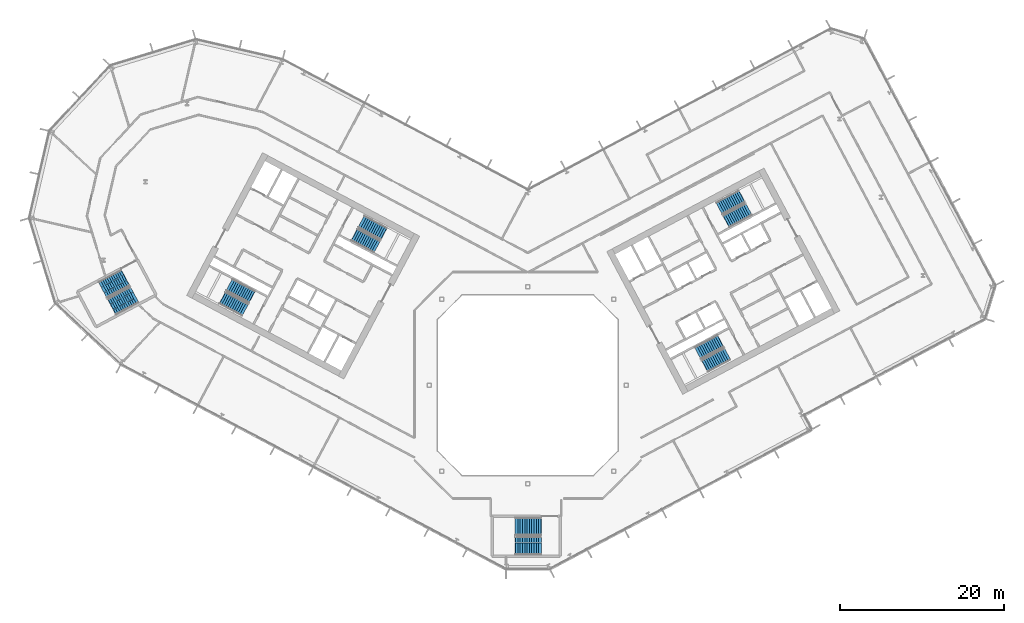
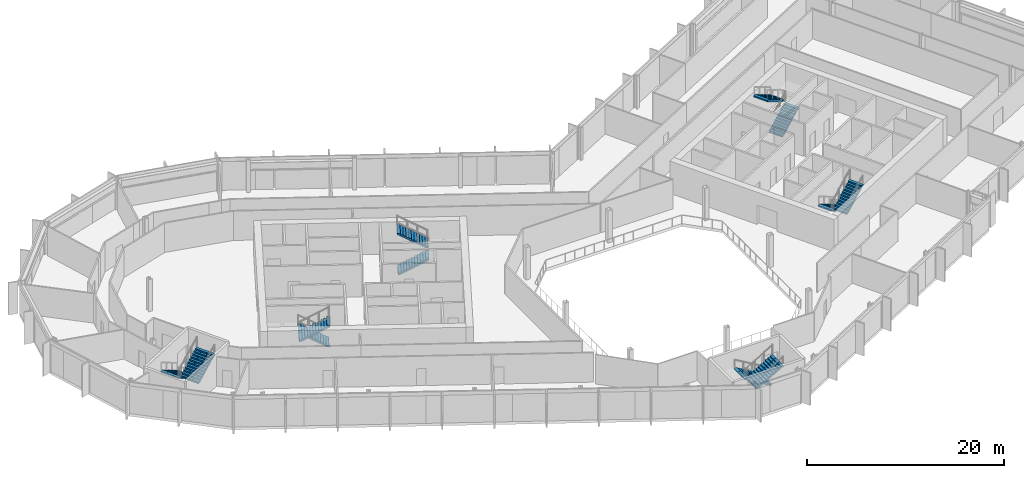
# One storey, part 18 of 28: 12 stair flights, 6 elements without a shape of their own.
"""IFC4 building model written with IfcOpenShell, lengths in metres."""

from ifc_helpers import new_model, si_unit, direction, frame, origin, place, context, subcontext, project, spatial, polyline, outline, extrude, material, type_object, element, aggregate, save


model = new_model("IFC4")

# Units and contexts
model_context = context("Model", 3, precision=1e-05, world=origin(), true_north=direction((0.0, 1.0)))
body_context = subcontext(model_context, "Body", "Model", "MODEL_VIEW")
ifc_project = project(units=[si_unit("LENGTHUNIT", "METRE"), si_unit("AREAUNIT", "SQUARE_METRE"), si_unit("VOLUMEUNIT", "CUBIC_METRE"), si_unit("PLANEANGLEUNIT", "RADIAN"), si_unit("MASSUNIT", "GRAM", prefix="KILO")], contexts=[model_context])

# Site, building, storey
site_placement = place(None, origin())
site = spatial("IfcSite", under=ifc_project, at=site_placement, CompositionType="ELEMENT")
building_placement = place(site_placement, origin())
building = spatial("IfcBuilding", under=site, at=building_placement, Name="Cormorant Relay Tower", CompositionType="ELEMENT")
storey_placement = place(building_placement, frame((0.0, 0.0, 130.199951171875)))
storey = spatial("IfcBuildingStorey", under=building, at=storey_placement, Name="L26", CompositionType="ELEMENT", Elevation=130.199951171875)

# Stair, stair flights
ifc_material_1 = material(Name="Concrete 40 MPa", Category="concrete")
stair_type_1 = type_object("IfcStairType", Name="Exit stair 1500", PredefinedType="HALF_TURN_STAIR", material=ifc_material_1)
stair_1_placement = place(storey_placement, origin())
stair_1 = element("IfcStair", 1, at=stair_1_placement, inside=storey, type_object=stair_type_1, Name="L26 Stair", PredefinedType="HALF_TURN_STAIR")
ifc_material_2 = material(Name="Concrete 40 MPa", Category="concrete")
stair_flight_type_1 = type_object("IfcStairFlightType", Name="Exit stair flight 1650", PredefinedType="STRAIGHT", material=ifc_material_2)
stair_flight_1_placement = place(storey_placement, frame((-21.114501953125, 18.33349609375, 0.0), z_axis=(0.0, 0.0, 1.0), x_axis=(0.882947592859, -0.469471562786, 0.0)))
stair_flight_1 = element("IfcStairFlight", 2, at=stair_flight_1_placement, type_object=stair_flight_type_1, Name="A1 flight 1", NumberOfRisers=12, NumberOfTreads=11, PredefinedType="STRAIGHT", RiserHeight=0.166666667, TreadLength=0.28, context=body_context, shape_type="SweptSolid", body=[
    extrude(outline(polyline([(-0.050048828125, -0.080078125), (-0.050048828125, 0.0), (0.0, 0.0), (0.0, 0.166748046875), (0.280029296875, 0.166748046875), (0.280029296875, 0.333251953125), (0.56005859375, 0.333251953125), (0.56005859375, 0.5), (0.840087890625, 0.5), (0.840087890625, 0.666748046875), (1.1201171875, 0.666748046875), (1.1201171875, 0.833251953125), (1.39990234375, 0.833251953125), (1.39990234375, 1.0), (1.679931640625, 1.0), (1.679931640625, 1.166748046875), (1.9599609375, 1.166748046875), (1.9599609375, 1.333251953125), (2.239990234375, 1.333251953125), (2.239990234375, 1.5), (2.52001953125, 1.5), (2.52001953125, 1.666748046875), (2.800048828125, 1.666748046875), (2.800048828125, 1.833251953125), (3.080078125, 1.833251953125), (3.130126953125, 1.833251953125), (3.130126953125, 1.658935546875), (3.080078125, 1.658935546875), (0.29296875, 0.0), (-0.050048828125, -0.080078125)])), frame((0.0, 0.824951171875, 0.0), z_axis=(0.0, -1.0, 0.0), x_axis=(1.0, 0.0, 0.0)), (0.0, 0.0, 1.0), 1.64990234375),
])
stair_flight_2_placement = place(storey_placement, frame((-17.5498046875, 18.47705078125, 2.0), z_axis=(0.0, 0.0, 1.0), x_axis=(-0.882947592859, 0.469471562786, 0.0)))
stair_flight_2 = element("IfcStairFlight", 3, at=stair_flight_2_placement, type_object=stair_flight_type_1, Name="A1 flight 2", NumberOfRisers=12, NumberOfTreads=11, PredefinedType="STRAIGHT", RiserHeight=0.166666667, TreadLength=0.28, context=body_context, shape_type="SweptSolid", body=[
    extrude(outline(polyline([(-0.050048828125, -0.080078125), (-0.050048828125, 0.0), (0.0, 0.0), (0.0, 0.166748046875), (0.280029296875, 0.166748046875), (0.280029296875, 0.333251953125), (0.56005859375, 0.333251953125), (0.56005859375, 0.5), (0.840087890625, 0.5), (0.840087890625, 0.666748046875), (1.1201171875, 0.666748046875), (1.1201171875, 0.833251953125), (1.39990234375, 0.833251953125), (1.39990234375, 1.0), (1.679931640625, 1.0), (1.679931640625, 1.166748046875), (1.9599609375, 1.166748046875), (1.9599609375, 1.333251953125), (2.239990234375, 1.333251953125), (2.239990234375, 1.5), (2.52001953125, 1.5), (2.52001953125, 1.666748046875), (2.800048828125, 1.666748046875), (2.800048828125, 1.833251953125), (3.080078125, 1.833251953125), (3.130126953125, 1.833251953125), (3.130126953125, 1.658935546875), (3.080078125, 1.658935546875), (0.29296875, 0.0), (-0.050048828125, -0.080078125)])), frame((0.0, 0.824951171875, 0.0), z_axis=(0.0, -1.0, 0.0), x_axis=(1.0, 0.0, 0.0)), (0.0, 0.0, 1.0), 1.64990234375),
])
aggregate(stair_1, [stair_flight_1, stair_flight_2])

stair_2_placement = place(storey_placement, origin())
stair_2 = element("IfcStair", 4, at=stair_2_placement, inside=storey, type_object=stair_type_1, Name="L26 Stair", PredefinedType="HALF_TURN_STAIR")
stair_flight_3_placement = place(storey_placement, frame((-33.62841796875, 10.773681640625, 0.0), z_axis=(0.0, 0.0, 1.0), x_axis=(-0.882947592859, 0.469471562786, 0.0)))
stair_flight_3 = element("IfcStairFlight", 5, at=stair_flight_3_placement, type_object=stair_flight_type_1, Name="A2 flight 1", NumberOfRisers=12, NumberOfTreads=11, PredefinedType="STRAIGHT", RiserHeight=0.166666667, TreadLength=0.28, context=body_context, shape_type="SweptSolid", body=[
    extrude(outline(polyline([(-0.050048828125, -0.080078125), (-0.050048828125, 0.0), (0.0, 0.0), (0.0, 0.166748046875), (0.280029296875, 0.166748046875), (0.280029296875, 0.333251953125), (0.56005859375, 0.333251953125), (0.56005859375, 0.5), (0.840087890625, 0.5), (0.840087890625, 0.666748046875), (1.1201171875, 0.666748046875), (1.1201171875, 0.833251953125), (1.39990234375, 0.833251953125), (1.39990234375, 1.0), (1.679931640625, 1.0), (1.679931640625, 1.166748046875), (1.9599609375, 1.166748046875), (1.9599609375, 1.333251953125), (2.239990234375, 1.333251953125), (2.239990234375, 1.5), (2.52001953125, 1.5), (2.52001953125, 1.666748046875), (2.800048828125, 1.666748046875), (2.800048828125, 1.833251953125), (3.080078125, 1.833251953125), (3.130126953125, 1.833251953125), (3.130126953125, 1.658935546875), (3.080078125, 1.658935546875), (0.29296875, 0.0), (-0.050048828125, -0.080078125)])), frame((0.0, 0.824951171875, 0.0), z_axis=(0.0, -1.0, 0.0), x_axis=(1.0, 0.0, 0.0)), (0.0, 0.0, 1.0), 1.64990234375),
])
stair_flight_4_placement = place(storey_placement, frame((-37.19287109375, 10.63037109375, 2.0), z_axis=(0.0, 0.0, 1.0), x_axis=(0.882947592859, -0.469471562786, 0.0)))
stair_flight_4 = element("IfcStairFlight", 6, at=stair_flight_4_placement, type_object=stair_flight_type_1, Name="A2 flight 2", NumberOfRisers=12, NumberOfTreads=11, PredefinedType="STRAIGHT", RiserHeight=0.166666667, TreadLength=0.28, context=body_context, shape_type="SweptSolid", body=[
    extrude(outline(polyline([(-0.050048828125, -0.080078125), (-0.050048828125, 0.0), (0.0, 0.0), (0.0, 0.166748046875), (0.280029296875, 0.166748046875), (0.280029296875, 0.333251953125), (0.56005859375, 0.333251953125), (0.56005859375, 0.5), (0.840087890625, 0.5), (0.840087890625, 0.666748046875), (1.1201171875, 0.666748046875), (1.1201171875, 0.833251953125), (1.39990234375, 0.833251953125), (1.39990234375, 1.0), (1.679931640625, 1.0), (1.679931640625, 1.166748046875), (1.9599609375, 1.166748046875), (1.9599609375, 1.333251953125), (2.239990234375, 1.333251953125), (2.239990234375, 1.5), (2.52001953125, 1.5), (2.52001953125, 1.666748046875), (2.800048828125, 1.666748046875), (2.800048828125, 1.833251953125), (3.080078125, 1.833251953125), (3.130126953125, 1.833251953125), (3.130126953125, 1.658935546875), (3.080078125, 1.658935546875), (0.29296875, 0.0), (-0.050048828125, -0.080078125)])), frame((0.0, 0.824951171875, 0.0), z_axis=(0.0, -1.0, 0.0), x_axis=(1.0, 0.0, 0.0)), (0.0, 0.0, 1.0), 1.64990234375),
])
aggregate(stair_2, [stair_flight_3, stair_flight_4])

stair_3_placement = place(storey_placement, origin())
stair_3 = element("IfcStair", 7, at=stair_3_placement, inside=storey, type_object=stair_type_1, Name="L26 Stair", PredefinedType="HALF_TURN_STAIR")
stair_flight_5_placement = place(storey_placement, frame((23.474365234375, 5.374755859375, 0.0), z_axis=(0.0, 0.0, 1.0), x_axis=(-0.882947592859, -0.469471562786, 0.0)))
stair_flight_5 = element("IfcStairFlight", 8, at=stair_flight_5_placement, type_object=stair_flight_type_1, Name="B1 flight 1", NumberOfRisers=12, NumberOfTreads=11, PredefinedType="STRAIGHT", RiserHeight=0.166666667, TreadLength=0.28, context=body_context, shape_type="SweptSolid", body=[
    extrude(outline(polyline([(-0.050048828125, -0.080078125), (-0.050048828125, 0.0), (0.0, 0.0), (0.0, 0.166748046875), (0.280029296875, 0.166748046875), (0.280029296875, 0.333251953125), (0.56005859375, 0.333251953125), (0.56005859375, 0.5), (0.840087890625, 0.5), (0.840087890625, 0.666748046875), (1.1201171875, 0.666748046875), (1.1201171875, 0.833251953125), (1.39990234375, 0.833251953125), (1.39990234375, 1.0), (1.679931640625, 1.0), (1.679931640625, 1.166748046875), (1.9599609375, 1.166748046875), (1.9599609375, 1.333251953125), (2.239990234375, 1.333251953125), (2.239990234375, 1.5), (2.52001953125, 1.5), (2.52001953125, 1.666748046875), (2.800048828125, 1.666748046875), (2.800048828125, 1.833251953125), (3.080078125, 1.833251953125), (3.130126953125, 1.833251953125), (3.130126953125, 1.658935546875), (3.080078125, 1.658935546875), (0.29296875, 0.0), (-0.050048828125, -0.080078125)])), frame((0.0, 0.824951171875, 0.0), z_axis=(0.0, -1.0, 0.0), x_axis=(1.0, 0.0, 0.0)), (0.0, 0.0, 1.0), 1.64990234375),
])
stair_flight_6_placement = place(storey_placement, frame((21.60009765625, 2.33935546875, 2.0), z_axis=(0.0, 0.0, 1.0), x_axis=(0.882947592859, 0.469471562786, 0.0)))
stair_flight_6 = element("IfcStairFlight", 9, at=stair_flight_6_placement, type_object=stair_flight_type_1, Name="B1 flight 2", NumberOfRisers=12, NumberOfTreads=11, PredefinedType="STRAIGHT", RiserHeight=0.166666667, TreadLength=0.28, context=body_context, shape_type="SweptSolid", body=[
    extrude(outline(polyline([(-0.050048828125, -0.080078125), (-0.050048828125, 0.0), (0.0, 0.0), (0.0, 0.166748046875), (0.280029296875, 0.166748046875), (0.280029296875, 0.333251953125), (0.56005859375, 0.333251953125), (0.56005859375, 0.5), (0.840087890625, 0.5), (0.840087890625, 0.666748046875), (1.1201171875, 0.666748046875), (1.1201171875, 0.833251953125), (1.39990234375, 0.833251953125), (1.39990234375, 1.0), (1.679931640625, 1.0), (1.679931640625, 1.166748046875), (1.9599609375, 1.166748046875), (1.9599609375, 1.333251953125), (2.239990234375, 1.333251953125), (2.239990234375, 1.5), (2.52001953125, 1.5), (2.52001953125, 1.666748046875), (2.800048828125, 1.666748046875), (2.800048828125, 1.833251953125), (3.080078125, 1.833251953125), (3.130126953125, 1.833251953125), (3.130126953125, 1.658935546875), (3.080078125, 1.658935546875), (0.29296875, 0.0), (-0.050048828125, -0.080078125)])), frame((0.0, 0.824951171875, 0.0), z_axis=(0.0, -1.0, 0.0), x_axis=(1.0, 0.0, 0.0)), (0.0, 0.0, 1.0), 1.64990234375),
])
aggregate(stair_3, [stair_flight_5, stair_flight_6])

stair_4_placement = place(storey_placement, origin())
stair_4 = element("IfcStair", 10, at=stair_4_placement, inside=storey, type_object=stair_type_1, Name="L26 Stair", PredefinedType="HALF_TURN_STAIR")
stair_flight_7_placement = place(storey_placement, frame((24.20458984375, 19.976806640625, 0.0), z_axis=(0.0, 0.0, 1.0), x_axis=(0.882947592859, 0.469471562786, 0.0)))
stair_flight_7 = element("IfcStairFlight", 11, at=stair_flight_7_placement, type_object=stair_flight_type_1, Name="B2 flight 1", NumberOfRisers=12, NumberOfTreads=11, PredefinedType="STRAIGHT", RiserHeight=0.166666667, TreadLength=0.28, context=body_context, shape_type="SweptSolid", body=[
    extrude(outline(polyline([(-0.050048828125, -0.080078125), (-0.050048828125, 0.0), (0.0, 0.0), (0.0, 0.166748046875), (0.280029296875, 0.166748046875), (0.280029296875, 0.333251953125), (0.56005859375, 0.333251953125), (0.56005859375, 0.5), (0.840087890625, 0.5), (0.840087890625, 0.666748046875), (1.1201171875, 0.666748046875), (1.1201171875, 0.833251953125), (1.39990234375, 0.833251953125), (1.39990234375, 1.0), (1.679931640625, 1.0), (1.679931640625, 1.166748046875), (1.9599609375, 1.166748046875), (1.9599609375, 1.333251953125), (2.239990234375, 1.333251953125), (2.239990234375, 1.5), (2.52001953125, 1.5), (2.52001953125, 1.666748046875), (2.800048828125, 1.666748046875), (2.800048828125, 1.833251953125), (3.080078125, 1.833251953125), (3.130126953125, 1.833251953125), (3.130126953125, 1.658935546875), (3.080078125, 1.658935546875), (0.29296875, 0.0), (-0.050048828125, -0.080078125)])), frame((0.0, 0.824951171875, 0.0), z_axis=(0.0, -1.0, 0.0), x_axis=(1.0, 0.0, 0.0)), (0.0, 0.0, 1.0), 1.64990234375),
])
stair_flight_8_placement = place(storey_placement, frame((26.0791015625, 23.011962890625, 2.0), z_axis=(0.0, 0.0, 1.0), x_axis=(-0.882947592859, -0.469471562786, 0.0)))
stair_flight_8 = element("IfcStairFlight", 12, at=stair_flight_8_placement, type_object=stair_flight_type_1, Name="B2 flight 2", NumberOfRisers=12, NumberOfTreads=11, PredefinedType="STRAIGHT", RiserHeight=0.166666667, TreadLength=0.28, context=body_context, shape_type="SweptSolid", body=[
    extrude(outline(polyline([(-0.050048828125, -0.080078125), (-0.050048828125, 0.0), (0.0, 0.0), (0.0, 0.166748046875), (0.280029296875, 0.166748046875), (0.280029296875, 0.333251953125), (0.56005859375, 0.333251953125), (0.56005859375, 0.5), (0.840087890625, 0.5), (0.840087890625, 0.666748046875), (1.1201171875, 0.666748046875), (1.1201171875, 0.833251953125), (1.39990234375, 0.833251953125), (1.39990234375, 1.0), (1.679931640625, 1.0), (1.679931640625, 1.166748046875), (1.9599609375, 1.166748046875), (1.9599609375, 1.333251953125), (2.239990234375, 1.333251953125), (2.239990234375, 1.5), (2.52001953125, 1.5), (2.52001953125, 1.666748046875), (2.800048828125, 1.666748046875), (2.800048828125, 1.833251953125), (3.080078125, 1.833251953125), (3.130126953125, 1.833251953125), (3.130126953125, 1.658935546875), (3.080078125, 1.658935546875), (0.29296875, 0.0), (-0.050048828125, -0.080078125)])), frame((0.0, 0.824951171875, 0.0), z_axis=(0.0, -1.0, 0.0), x_axis=(1.0, 0.0, 0.0)), (0.0, 0.0, 1.0), 1.64990234375),
])
aggregate(stair_4, [stair_flight_7, stair_flight_8])

ifc_material_3 = material(Name="Concrete 40 MPa", Category="concrete")
stair_type_2 = type_object("IfcStairType", Name="Remote exit stair 2200", PredefinedType="HALF_TURN_STAIR", material=ifc_material_3)
stair_5_placement = place(storey_placement, origin())
stair_5 = element("IfcStair", 13, at=stair_5_placement, inside=storey, type_object=stair_type_2, Name="L26 Stair", PredefinedType="HALF_TURN_STAIR")
ifc_material_4 = material(Name="Concrete 40 MPa", Category="concrete")
stair_flight_type_2 = type_object("IfcStairFlightType", Name="Remote exit stair flight 2200", PredefinedType="STRAIGHT", material=ifc_material_4)
stair_flight_9_placement = place(storey_placement, frame((1.60009765625, -17.22509765625, 0.0), z_axis=(0.0, 0.0, 1.0), x_axis=(-1.0, 0.0, 0.0)))
stair_flight_9 = element("IfcStairFlight", 14, at=stair_flight_9_placement, type_object=stair_flight_type_2, Name="RK1 flight 1", NumberOfRisers=12, NumberOfTreads=11, PredefinedType="STRAIGHT", RiserHeight=0.166666667, TreadLength=0.28, context=body_context, shape_type="SweptSolid", body=[
    extrude(outline(polyline([(-0.050048828125, -0.080078125), (-0.050048828125, 0.0), (0.0, 0.0), (0.0, 0.166748046875), (0.280029296875, 0.166748046875), (0.280029296875, 0.333251953125), (0.56005859375, 0.333251953125), (0.56005859375, 0.5), (0.840087890625, 0.5), (0.840087890625, 0.666748046875), (1.1201171875, 0.666748046875), (1.1201171875, 0.833251953125), (1.39990234375, 0.833251953125), (1.39990234375, 1.0), (1.679931640625, 1.0), (1.679931640625, 1.166748046875), (1.9599609375, 1.166748046875), (1.9599609375, 1.333251953125), (2.239990234375, 1.333251953125), (2.239990234375, 1.5), (2.52001953125, 1.5), (2.52001953125, 1.666748046875), (2.800048828125, 1.666748046875), (2.800048828125, 1.833251953125), (3.080078125, 1.833251953125), (3.130126953125, 1.833251953125), (3.130126953125, 1.658935546875), (3.080078125, 1.658935546875), (0.29296875, 0.0), (-0.050048828125, -0.080078125)])), frame((0.0, 1.10009765625, 0.0), z_axis=(0.0, -1.0, 0.0), x_axis=(1.0, 0.0, 0.0)), (0.0, 0.0, 1.0), 0.719970703125),
    extrude(outline(polyline([(-0.050048828125, -0.080078125), (-0.050048828125, 0.0), (0.0, 0.0), (0.0, 0.166748046875), (0.280029296875, 0.166748046875), (0.280029296875, 0.333251953125), (0.56005859375, 0.333251953125), (0.56005859375, 0.5), (0.840087890625, 0.5), (0.840087890625, 0.666748046875), (1.1201171875, 0.666748046875), (1.1201171875, 0.833251953125), (1.39990234375, 0.833251953125), (1.39990234375, 1.0), (1.679931640625, 1.0), (1.679931640625, 1.166748046875), (1.9599609375, 1.166748046875), (1.9599609375, 1.333251953125), (2.239990234375, 1.333251953125), (2.239990234375, 1.5), (2.52001953125, 1.5), (2.52001953125, 1.666748046875), (2.800048828125, 1.666748046875), (2.800048828125, 1.833251953125), (3.080078125, 1.833251953125), (3.130126953125, 1.833251953125), (3.130126953125, 1.658935546875), (3.080078125, 1.658935546875), (0.29296875, 0.0), (-0.050048828125, -0.080078125)])), frame((0.0, 0.360107421875, 0.0), z_axis=(0.0, -1.0, 0.0), x_axis=(1.0, 0.0, 0.0)), (0.0, 0.0, 1.0), 0.719970703125),
    extrude(outline(polyline([(-0.050048828125, -0.080078125), (-0.050048828125, 0.0), (0.0, 0.0), (0.0, 0.166748046875), (0.280029296875, 0.166748046875), (0.280029296875, 0.333251953125), (0.56005859375, 0.333251953125), (0.56005859375, 0.5), (0.840087890625, 0.5), (0.840087890625, 0.666748046875), (1.1201171875, 0.666748046875), (1.1201171875, 0.833251953125), (1.39990234375, 0.833251953125), (1.39990234375, 1.0), (1.679931640625, 1.0), (1.679931640625, 1.166748046875), (1.9599609375, 1.166748046875), (1.9599609375, 1.333251953125), (2.239990234375, 1.333251953125), (2.239990234375, 1.5), (2.52001953125, 1.5), (2.52001953125, 1.666748046875), (2.800048828125, 1.666748046875), (2.800048828125, 1.833251953125), (3.080078125, 1.833251953125), (3.130126953125, 1.833251953125), (3.130126953125, 1.658935546875), (3.080078125, 1.658935546875), (0.29296875, 0.0), (-0.050048828125, -0.080078125)])), frame((0.0, -0.3798828125, 0.0), z_axis=(0.0, -1.0, 0.0), x_axis=(1.0, 0.0, 0.0)), (0.0, 0.0, 1.0), 0.719970703125),
])
stair_flight_10_placement = place(storey_placement, frame((-1.47998046875, -19.574951171875, 2.0), z_axis=(0.0, 0.0, 1.0), x_axis=(1.0, 0.0, 0.0)))
stair_flight_10 = element("IfcStairFlight", 15, at=stair_flight_10_placement, type_object=stair_flight_type_2, Name="RK1 flight 2", NumberOfRisers=12, NumberOfTreads=11, PredefinedType="STRAIGHT", RiserHeight=0.166666667, TreadLength=0.28, context=body_context, shape_type="SweptSolid", body=[
    extrude(outline(polyline([(-0.050048828125, -0.080078125), (-0.050048828125, 0.0), (0.0, 0.0), (0.0, 0.166748046875), (0.280029296875, 0.166748046875), (0.280029296875, 0.333251953125), (0.56005859375, 0.333251953125), (0.56005859375, 0.5), (0.840087890625, 0.5), (0.840087890625, 0.666748046875), (1.1201171875, 0.666748046875), (1.1201171875, 0.833251953125), (1.39990234375, 0.833251953125), (1.39990234375, 1.0), (1.679931640625, 1.0), (1.679931640625, 1.166748046875), (1.9599609375, 1.166748046875), (1.9599609375, 1.333251953125), (2.239990234375, 1.333251953125), (2.239990234375, 1.5), (2.52001953125, 1.5), (2.52001953125, 1.666748046875), (2.800048828125, 1.666748046875), (2.800048828125, 1.833251953125), (3.080078125, 1.833251953125), (3.130126953125, 1.833251953125), (3.130126953125, 1.658935546875), (3.080078125, 1.658935546875), (0.29296875, 0.0), (-0.050048828125, -0.080078125)])), frame((0.0, 1.10009765625, 0.0), z_axis=(0.0, -1.0, 0.0), x_axis=(1.0, 0.0, 0.0)), (0.0, 0.0, 1.0), 0.719970703125),
    extrude(outline(polyline([(-0.050048828125, -0.080078125), (-0.050048828125, 0.0), (0.0, 0.0), (0.0, 0.166748046875), (0.280029296875, 0.166748046875), (0.280029296875, 0.333251953125), (0.56005859375, 0.333251953125), (0.56005859375, 0.5), (0.840087890625, 0.5), (0.840087890625, 0.666748046875), (1.1201171875, 0.666748046875), (1.1201171875, 0.833251953125), (1.39990234375, 0.833251953125), (1.39990234375, 1.0), (1.679931640625, 1.0), (1.679931640625, 1.166748046875), (1.9599609375, 1.166748046875), (1.9599609375, 1.333251953125), (2.239990234375, 1.333251953125), (2.239990234375, 1.5), (2.52001953125, 1.5), (2.52001953125, 1.666748046875), (2.800048828125, 1.666748046875), (2.800048828125, 1.833251953125), (3.080078125, 1.833251953125), (3.130126953125, 1.833251953125), (3.130126953125, 1.658935546875), (3.080078125, 1.658935546875), (0.29296875, 0.0), (-0.050048828125, -0.080078125)])), frame((0.0, 0.360107421875, 0.0), z_axis=(0.0, -1.0, 0.0), x_axis=(1.0, 0.0, 0.0)), (0.0, 0.0, 1.0), 0.719970703125),
    extrude(outline(polyline([(-0.050048828125, -0.080078125), (-0.050048828125, 0.0), (0.0, 0.0), (0.0, 0.166748046875), (0.280029296875, 0.166748046875), (0.280029296875, 0.333251953125), (0.56005859375, 0.333251953125), (0.56005859375, 0.5), (0.840087890625, 0.5), (0.840087890625, 0.666748046875), (1.1201171875, 0.666748046875), (1.1201171875, 0.833251953125), (1.39990234375, 0.833251953125), (1.39990234375, 1.0), (1.679931640625, 1.0), (1.679931640625, 1.166748046875), (1.9599609375, 1.166748046875), (1.9599609375, 1.333251953125), (2.239990234375, 1.333251953125), (2.239990234375, 1.5), (2.52001953125, 1.5), (2.52001953125, 1.666748046875), (2.800048828125, 1.666748046875), (2.800048828125, 1.833251953125), (3.080078125, 1.833251953125), (3.130126953125, 1.833251953125), (3.130126953125, 1.658935546875), (3.080078125, 1.658935546875), (0.29296875, 0.0), (-0.050048828125, -0.080078125)])), frame((0.0, -0.3798828125, 0.0), z_axis=(0.0, -1.0, 0.0), x_axis=(1.0, 0.0, 0.0)), (0.0, 0.0, 1.0), 0.719970703125),
])
aggregate(stair_5, [stair_flight_9, stair_flight_10])

stair_6_placement = place(storey_placement, origin())
stair_6 = element("IfcStair", 16, at=stair_6_placement, inside=storey, type_object=stair_type_2, Name="L26 Stair", PredefinedType="HALF_TURN_STAIR")
stair_flight_11_placement = place(storey_placement, frame((-49.062255859375, 13.08251953125, 0.0), z_axis=(0.0, 0.0, 1.0), x_axis=(-0.882947502727, -0.4694717323, 0.0)))
stair_flight_11 = element("IfcStairFlight", 17, at=stair_flight_11_placement, type_object=stair_flight_type_2, Name="RP1 flight 1", NumberOfRisers=12, NumberOfTreads=11, PredefinedType="STRAIGHT", RiserHeight=0.166666667, TreadLength=0.28, context=body_context, shape_type="SweptSolid", body=[
    extrude(outline(polyline([(-0.050048828125, -0.080078125), (-0.050048828125, 0.0), (0.0, 0.0), (0.0, 0.166748046875), (0.280029296875, 0.166748046875), (0.280029296875, 0.333251953125), (0.56005859375, 0.333251953125), (0.56005859375, 0.5), (0.840087890625, 0.5), (0.840087890625, 0.666748046875), (1.1201171875, 0.666748046875), (1.1201171875, 0.833251953125), (1.39990234375, 0.833251953125), (1.39990234375, 1.0), (1.679931640625, 1.0), (1.679931640625, 1.166748046875), (1.9599609375, 1.166748046875), (1.9599609375, 1.333251953125), (2.239990234375, 1.333251953125), (2.239990234375, 1.5), (2.52001953125, 1.5), (2.52001953125, 1.666748046875), (2.800048828125, 1.666748046875), (2.800048828125, 1.833251953125), (3.080078125, 1.833251953125), (3.130126953125, 1.833251953125), (3.130126953125, 1.658935546875), (3.080078125, 1.658935546875), (0.29296875, 0.0), (-0.050048828125, -0.080078125)])), frame((0.0, 1.10009765625, 0.0), z_axis=(0.0, -1.0, 0.0), x_axis=(1.0, 0.0, 0.0)), (0.0, 0.0, 1.0), 0.719970703125),
    extrude(outline(polyline([(-0.050048828125, -0.080078125), (-0.050048828125, 0.0), (0.0, 0.0), (0.0, 0.166748046875), (0.280029296875, 0.166748046875), (0.280029296875, 0.333251953125), (0.56005859375, 0.333251953125), (0.56005859375, 0.5), (0.840087890625, 0.5), (0.840087890625, 0.666748046875), (1.1201171875, 0.666748046875), (1.1201171875, 0.833251953125), (1.39990234375, 0.833251953125), (1.39990234375, 1.0), (1.679931640625, 1.0), (1.679931640625, 1.166748046875), (1.9599609375, 1.166748046875), (1.9599609375, 1.333251953125), (2.239990234375, 1.333251953125), (2.239990234375, 1.5), (2.52001953125, 1.5), (2.52001953125, 1.666748046875), (2.800048828125, 1.666748046875), (2.800048828125, 1.833251953125), (3.080078125, 1.833251953125), (3.130126953125, 1.833251953125), (3.130126953125, 1.658935546875), (3.080078125, 1.658935546875), (0.29296875, 0.0), (-0.050048828125, -0.080078125)])), frame((0.0, 0.360107421875, 0.0), z_axis=(0.0, -1.0, 0.0), x_axis=(1.0, 0.0, 0.0)), (0.0, 0.0, 1.0), 0.719970703125),
    extrude(outline(polyline([(-0.050048828125, -0.080078125), (-0.050048828125, 0.0), (0.0, 0.0), (0.0, 0.166748046875), (0.280029296875, 0.166748046875), (0.280029296875, 0.333251953125), (0.56005859375, 0.333251953125), (0.56005859375, 0.5), (0.840087890625, 0.5), (0.840087890625, 0.666748046875), (1.1201171875, 0.666748046875), (1.1201171875, 0.833251953125), (1.39990234375, 0.833251953125), (1.39990234375, 1.0), (1.679931640625, 1.0), (1.679931640625, 1.166748046875), (1.9599609375, 1.166748046875), (1.9599609375, 1.333251953125), (2.239990234375, 1.333251953125), (2.239990234375, 1.5), (2.52001953125, 1.5), (2.52001953125, 1.666748046875), (2.800048828125, 1.666748046875), (2.800048828125, 1.833251953125), (3.080078125, 1.833251953125), (3.130126953125, 1.833251953125), (3.130126953125, 1.658935546875), (3.080078125, 1.658935546875), (0.29296875, 0.0), (-0.050048828125, -0.080078125)])), frame((0.0, -0.3798828125, 0.0), z_axis=(0.0, -1.0, 0.0), x_axis=(1.0, 0.0, 0.0)), (0.0, 0.0, 1.0), 0.719970703125),
])
stair_flight_12_placement = place(storey_placement, frame((-50.678466796875, 9.5615234375, 2.0), z_axis=(0.0, 0.0, 1.0), x_axis=(0.882947502727, 0.4694717323, 0.0)))
stair_flight_12 = element("IfcStairFlight", 18, at=stair_flight_12_placement, type_object=stair_flight_type_2, Name="RP1 flight 2", NumberOfRisers=12, NumberOfTreads=11, PredefinedType="STRAIGHT", RiserHeight=0.166666667, TreadLength=0.28, context=body_context, shape_type="SweptSolid", body=[
    extrude(outline(polyline([(-0.050048828125, -0.080078125), (-0.050048828125, 0.0), (0.0, 0.0), (0.0, 0.166748046875), (0.280029296875, 0.166748046875), (0.280029296875, 0.333251953125), (0.56005859375, 0.333251953125), (0.56005859375, 0.5), (0.840087890625, 0.5), (0.840087890625, 0.666748046875), (1.1201171875, 0.666748046875), (1.1201171875, 0.833251953125), (1.39990234375, 0.833251953125), (1.39990234375, 1.0), (1.679931640625, 1.0), (1.679931640625, 1.166748046875), (1.9599609375, 1.166748046875), (1.9599609375, 1.333251953125), (2.239990234375, 1.333251953125), (2.239990234375, 1.5), (2.52001953125, 1.5), (2.52001953125, 1.666748046875), (2.800048828125, 1.666748046875), (2.800048828125, 1.833251953125), (3.080078125, 1.833251953125), (3.130126953125, 1.833251953125), (3.130126953125, 1.658935546875), (3.080078125, 1.658935546875), (0.29296875, 0.0), (-0.050048828125, -0.080078125)])), frame((0.0, 1.10009765625, 0.0), z_axis=(0.0, -1.0, 0.0), x_axis=(1.0, 0.0, 0.0)), (0.0, 0.0, 1.0), 0.719970703125),
    extrude(outline(polyline([(-0.050048828125, -0.080078125), (-0.050048828125, 0.0), (0.0, 0.0), (0.0, 0.166748046875), (0.280029296875, 0.166748046875), (0.280029296875, 0.333251953125), (0.56005859375, 0.333251953125), (0.56005859375, 0.5), (0.840087890625, 0.5), (0.840087890625, 0.666748046875), (1.1201171875, 0.666748046875), (1.1201171875, 0.833251953125), (1.39990234375, 0.833251953125), (1.39990234375, 1.0), (1.679931640625, 1.0), (1.679931640625, 1.166748046875), (1.9599609375, 1.166748046875), (1.9599609375, 1.333251953125), (2.239990234375, 1.333251953125), (2.239990234375, 1.5), (2.52001953125, 1.5), (2.52001953125, 1.666748046875), (2.800048828125, 1.666748046875), (2.800048828125, 1.833251953125), (3.080078125, 1.833251953125), (3.130126953125, 1.833251953125), (3.130126953125, 1.658935546875), (3.080078125, 1.658935546875), (0.29296875, 0.0), (-0.050048828125, -0.080078125)])), frame((0.0, 0.360107421875, 0.0), z_axis=(0.0, -1.0, 0.0), x_axis=(1.0, 0.0, 0.0)), (0.0, 0.0, 1.0), 0.719970703125),
    extrude(outline(polyline([(-0.050048828125, -0.080078125), (-0.050048828125, 0.0), (0.0, 0.0), (0.0, 0.166748046875), (0.280029296875, 0.166748046875), (0.280029296875, 0.333251953125), (0.56005859375, 0.333251953125), (0.56005859375, 0.5), (0.840087890625, 0.5), (0.840087890625, 0.666748046875), (1.1201171875, 0.666748046875), (1.1201171875, 0.833251953125), (1.39990234375, 0.833251953125), (1.39990234375, 1.0), (1.679931640625, 1.0), (1.679931640625, 1.166748046875), (1.9599609375, 1.166748046875), (1.9599609375, 1.333251953125), (2.239990234375, 1.333251953125), (2.239990234375, 1.5), (2.52001953125, 1.5), (2.52001953125, 1.666748046875), (2.800048828125, 1.666748046875), (2.800048828125, 1.833251953125), (3.080078125, 1.833251953125), (3.130126953125, 1.833251953125), (3.130126953125, 1.658935546875), (3.080078125, 1.658935546875), (0.29296875, 0.0), (-0.050048828125, -0.080078125)])), frame((0.0, -0.3798828125, 0.0), z_axis=(0.0, -1.0, 0.0), x_axis=(1.0, 0.0, 0.0)), (0.0, 0.0, 1.0), 0.719970703125),
])
aggregate(stair_6, [stair_flight_11, stair_flight_12])

save(model, "model.ifc")
